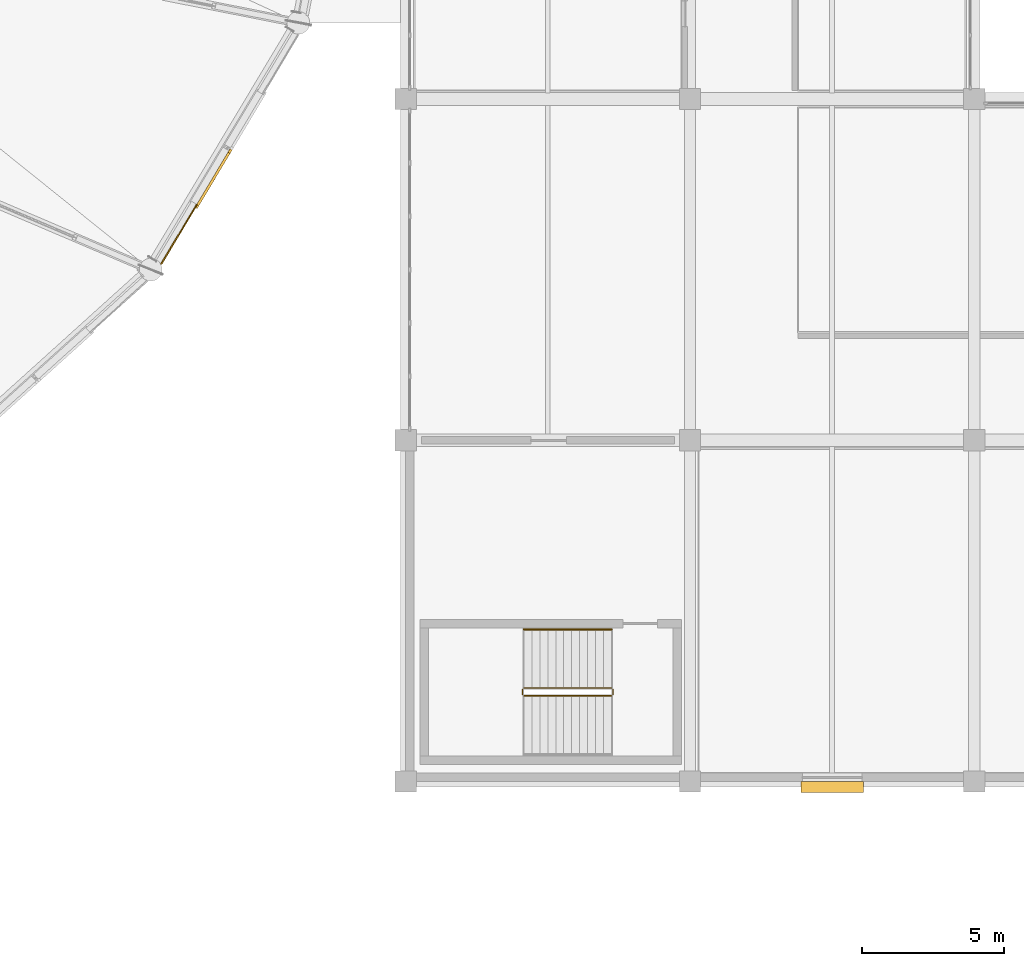
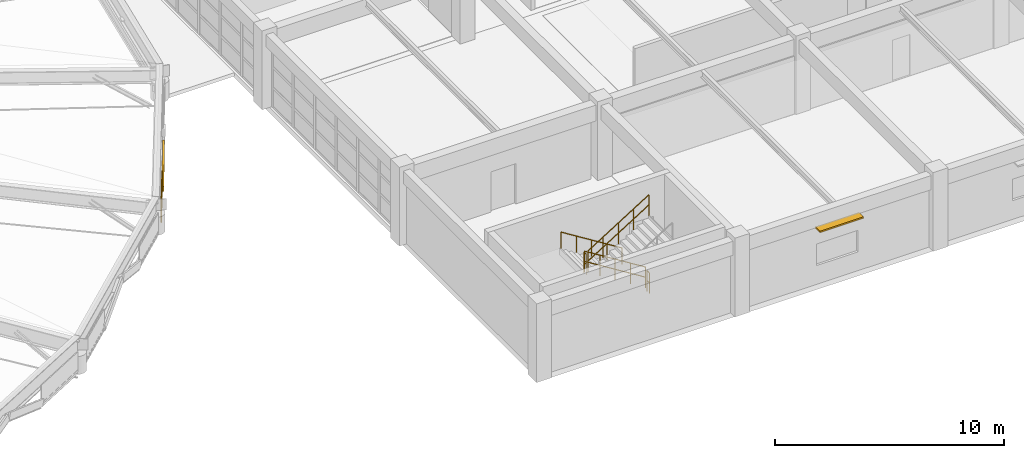
# One storey, part 76 of 83: 5 railings, 2 coverings, 1 shading device.
"""IFC4 building model written with IfcOpenShell, lengths in metres."""

from ifc_helpers import new_model, si_unit, direction, frame, frame_2d, origin, origin_2d, place, context, subcontext, project, spatial, rectangle, circle, extrude, material, layer, layer_set, type_object, element, save


model = new_model("IFC4")

# Units and contexts
model_context = context("Model", 3, precision=1e-05, world=origin(), true_north=direction((0.0, 1.0)))
body_context = subcontext(model_context, "Body", "Model", "MODEL_VIEW")
ifc_project = project(units=[si_unit("LENGTHUNIT", "METRE"), si_unit("AREAUNIT", "SQUARE_METRE"), si_unit("VOLUMEUNIT", "CUBIC_METRE"), si_unit("PLANEANGLEUNIT", "RADIAN"), si_unit("MASSUNIT", "GRAM", prefix="KILO")], contexts=[model_context])

# Site, building, storey
site_placement = place(None, origin())
site = spatial("IfcSite", under=ifc_project, at=site_placement, CompositionType="ELEMENT")
building_placement = place(site_placement, origin())
building = spatial("IfcBuilding", under=site, at=building_placement, Name="Kivolera Central Railway Station", CompositionType="ELEMENT")
storey_placement = place(building_placement, frame((0.0, 0.0, 14.39990234375)))
storey = spatial("IfcBuildingStorey", under=building, at=storey_placement, Name="L03", CompositionType="ELEMENT", Elevation=14.39990234375)

# Shading device
ifc_material_1 = material(Name="Anodised aluminium", Category="aluminium")
ifc_layer_1 = layer(ifc_material_1, 0.080078125, Name="Anodised aluminium")
ifc_layer_set_1 = layer_set([ifc_layer_1], Name="Anodised aluminium")
shading_device_type = type_object("IfcShadingDeviceType", Name="BS-LVR-B", PredefinedType="JALOUSIE", material=ifc_layer_set_1)
shading_device_placement = place(storey_placement, frame((133.0, 53.80810546875, 3.010009765625), z_axis=(0.0, 0.0, 1.0), x_axis=(1.0, 0.0, 0.0)))
element("IfcShadingDevice", 1, at=shading_device_placement, inside=storey, type_object=shading_device_type, Name="L03 South Monsoon Window Sun-Louvre 128", PredefinedType="JALOUSIE", context=body_context, shape_type="SweptSolid", body=[
    extrude(rectangle(XDim=2.199951171875, YDim=0.39990234375, at=origin_2d()), origin(), (0.0, 0.0, 1.0), 0.080078125),
])

# Coverings
ifc_material_2 = material(Name="Precast concrete C40/50", Category="concrete")
ifc_layer_2 = layer(ifc_material_2, 0.090087890625, Name="Precast concrete C40/50")
ifc_layer_set_2 = layer_set([ifc_layer_2], Name="Precast concrete C40/50")
covering_type_1 = type_object("IfcCoveringType", Name="COV-CLAUSTRA-90", PredefinedType="CLADDING", material=ifc_layer_set_2)
covering_1_placement = place(storey_placement, frame((111.2451171875, 75.199951171875, 0.731201171875), z_axis=(0.476784191777, 0.797245697627, 0.370237939827), x_axis=(0.858137550629, -0.513419851778, 0.0)))
element("IfcCovering", 2, at=covering_1_placement, inside=storey, type_object=covering_type_1, Name="Oval Lantern Arch Spandrel Extrados Trim 23.3", PredefinedType="CLADDING", context=body_context, shape_type="SweptSolid", body=[
    extrude(rectangle(XDim=0.090087890625, YDim=0.3798828125, at=origin_2d()), frame((0.0, 0.0, -1.21533203125)), (0.0, 0.0, 1.0), 2.430908203125),
])
ifc_material_3 = material(Name="Terracotta clay tile", Category="masonry")
ifc_layer_3 = layer(ifc_material_3, 0.044921875, Name="Terracotta clay tile")
ifc_layer_set_3 = layer_set([ifc_layer_3], Name="Terracotta clay tile")
covering_type_2 = type_object("IfcCoveringType", Name="COV-TERRACOTTA-45", PredefinedType="CLADDING", material=ifc_layer_set_3)
covering_2_placement = place(storey_placement, frame((110.656005859375, 74.29296875, 0.16015625), z_axis=(0.0, 0.0, 1.0), x_axis=(-0.513526675005, -0.858073629742, 0.0)))
element("IfcCovering", 3, at=covering_2_placement, inside=storey, type_object=covering_type_2, Name="Oval Lantern Arch Spandrel Tympanum Cladding 23L", PredefinedType="CLADDING", context=body_context, shape_type="SweptSolid", body=[
    extrude(rectangle(XDim=2.446044921875, YDim=0.044921875, at=frame_2d((1.22314453125, 0.0))), origin(), (0.0, 0.0, 1.0), 1.06005859375),
])

# Railings
ifc_layer_4 = layer(ifc_material_1, 0.048095703125, Name="Anodised aluminium")
ifc_layer_set_4 = layer_set([ifc_layer_4], Name="Anodised aluminium")
railing_type_1 = type_object("IfcRailingType", Name="RL-STAIR-GUARD", PredefinedType="GUARDRAIL", material=ifc_layer_set_4)
railing_1_placement = place(storey_placement, frame((125.239990234375, 57.2900390625, 0.175048828125)))
element("IfcRailing", 4, at=railing_1_placement, inside=storey, type_object=railing_type_1, Name="L03 ST4 stair guard 1", PredefinedType="GUARDRAIL", context=body_context, shape_type="SweptSolid", body=[
    extrude(circle(Radius=0.02392578125, at=origin_2d()), frame((0.0, 0.0, 1.10595703125), z_axis=(-0.847998304005, 0.0, 0.529998940003), x_axis=(0.0, -1.0, 0.0)), (0.0, 0.0, 1.0), 3.632080078125),
    extrude(circle(Radius=0.02392578125, at=origin_2d()), frame((0.0, 0.0, 0.56494140625), z_axis=(-0.847998304005, 0.0, 0.529998940003), x_axis=(0.0, -1.0, 0.0)), (0.0, 0.0, 1.0), 3.632080078125),
    extrude(circle(Radius=0.02099609375, at=origin_2d()), origin(), (0.0, 0.0, 1.0), 1.081787109375),
    extrude(circle(Radius=0.02099609375, at=origin_2d()), frame((-0.77001953125, 0.0, 0.481201171875)), (0.0, 0.0, 1.0), 1.081787109375),
    extrude(circle(Radius=0.02099609375, at=origin_2d()), frame((-1.5400390625, 0.0, 0.96240234375)), (0.0, 0.0, 1.0), 1.081787109375),
    extrude(circle(Radius=0.02099609375, at=origin_2d()), frame((-2.31005859375, 0.0, 1.44384765625)), (0.0, 0.0, 1.0), 1.081787109375),
    extrude(circle(Radius=0.02099609375, at=origin_2d()), frame((-3.080078125, 0.0, 1.925048828125)), (0.0, 0.0, 1.0), 1.081787109375),
])
railing_2_placement = place(storey_placement, frame((122.110107421875, 57.239990234375, 2.10009765625)))
element("IfcRailing", 5, at=railing_2_placement, inside=storey, type_object=railing_type_1, Name="L03 ST4 stair guard 2", PredefinedType="GUARDRAIL", context=body_context, shape_type="SweptSolid", body=[
    extrude(circle(Radius=0.02392578125, at=origin_2d()), frame((0.0, 0.0, 1.10595703125), z_axis=(0.0, -1.0, 0.0), x_axis=(1.0, 0.0, 0.0)), (0.0, 0.0, 1.0), 0.179931640625),
    extrude(circle(Radius=0.02392578125, at=origin_2d()), frame((0.0, 0.0, 0.56494140625), z_axis=(0.0, -1.0, 0.0), x_axis=(1.0, 0.0, 0.0)), (0.0, 0.0, 1.0), 0.179931640625),
    extrude(circle(Radius=0.02099609375, at=origin_2d()), origin(), (0.0, 0.0, 1.0), 1.081787109375),
    extrude(circle(Radius=0.02099609375, at=origin_2d()), frame((0.0, -0.179931640625, 0.0)), (0.0, 0.0, 1.0), 1.081787109375),
])
railing_3_placement = place(storey_placement, frame((122.159912109375, 57.010009765625, 2.275146484375)))
element("IfcRailing", 6, at=railing_3_placement, inside=storey, type_object=railing_type_1, Name="L03 ST4 stair guard 3", PredefinedType="GUARDRAIL", context=body_context, shape_type="SweptSolid", body=[
    extrude(circle(Radius=0.02392578125, at=origin_2d()), frame((0.0, 0.0, 1.10595703125), z_axis=(0.847998304005, 0.0, 0.529998940003), x_axis=(0.0, 1.0, 0.0)), (0.0, 0.0, 1.0), 3.632080078125),
    extrude(circle(Radius=0.02392578125, at=origin_2d()), frame((0.0, 0.0, 0.56494140625), z_axis=(0.847998304005, 0.0, 0.529998940003), x_axis=(0.0, 1.0, 0.0)), (0.0, 0.0, 1.0), 3.632080078125),
    extrude(circle(Radius=0.02099609375, at=origin_2d()), origin(), (0.0, 0.0, 1.0), 1.081787109375),
    extrude(circle(Radius=0.02099609375, at=origin_2d()), frame((0.77001953125, 0.0, 0.481201171875)), (0.0, 0.0, 1.0), 1.081787109375),
    extrude(circle(Radius=0.02099609375, at=origin_2d()), frame((1.5400390625, 0.0, 0.96240234375)), (0.0, 0.0, 1.0), 1.081787109375),
    extrude(circle(Radius=0.02099609375, at=origin_2d()), frame((2.31005859375, 0.0, 1.44384765625)), (0.0, 0.0, 1.0), 1.081787109375),
    extrude(circle(Radius=0.02099609375, at=origin_2d()), frame((3.080078125, 0.0, 1.925048828125)), (0.0, 0.0, 1.0), 1.081787109375),
])
railing_4_placement = place(storey_placement, frame((125.2900390625, 57.239990234375, 0.0)))
element("IfcRailing", 7, at=railing_4_placement, inside=storey, type_object=railing_type_1, Name="L03 ST4 stair guard 4", PredefinedType="GUARDRAIL", context=body_context, shape_type="SweptSolid", body=[
    extrude(circle(Radius=0.02392578125, at=origin_2d()), frame((0.0, 0.0, 1.10595703125), z_axis=(0.0, -1.0, 0.0), x_axis=(1.0, 0.0, 0.0)), (0.0, 0.0, 1.0), 0.179931640625),
    extrude(circle(Radius=0.02392578125, at=origin_2d()), frame((0.0, 0.0, 0.56494140625), z_axis=(0.0, -1.0, 0.0), x_axis=(1.0, 0.0, 0.0)), (0.0, 0.0, 1.0), 0.179931640625),
    extrude(circle(Radius=0.02099609375, at=origin_2d()), origin(), (0.0, 0.0, 1.0), 1.081787109375),
    extrude(circle(Radius=0.02099609375, at=origin_2d()), frame((0.0, -0.179931640625, 0.0)), (0.0, 0.0, 1.0), 1.081787109375),
])
ifc_layer_5 = layer(ifc_material_1, 0.048095703125, Name="Anodised aluminium")
ifc_layer_set_5 = layer_set([ifc_layer_5], Name="Anodised aluminium")
railing_type_2 = type_object("IfcRailingType", Name="RL-STAIR-HAND", PredefinedType="HANDRAIL", material=ifc_layer_set_5)
railing_5_placement = place(storey_placement, frame((125.239990234375, 59.35009765625, 0.175048828125)))
element("IfcRailing", 8, at=railing_5_placement, inside=storey, type_object=railing_type_2, Name="L03 ST4 stair handrail 1", PredefinedType="HANDRAIL", context=body_context, shape_type="SweptSolid", body=[
    extrude(circle(Radius=0.02392578125, at=origin_2d()), frame((0.0, 0.0, 0.8759765625), z_axis=(-0.847998304005, 0.0, 0.529998940003), x_axis=(0.0, -1.0, 0.0)), (0.0, 0.0, 1.0), 3.632080078125),
    extrude(circle(Radius=0.02099609375, at=origin_2d()), origin(), (0.0, 0.0, 1.0), 0.851806640625),
    extrude(circle(Radius=0.02099609375, at=origin_2d()), frame((-0.77001953125, 0.0, 0.481201171875)), (0.0, 0.0, 1.0), 0.851806640625),
    extrude(circle(Radius=0.02099609375, at=origin_2d()), frame((-1.5400390625, 0.0, 0.96240234375)), (0.0, 0.0, 1.0), 0.851806640625),
    extrude(circle(Radius=0.02099609375, at=origin_2d()), frame((-2.31005859375, 0.0, 1.44384765625)), (0.0, 0.0, 1.0), 0.851806640625),
    extrude(circle(Radius=0.02099609375, at=origin_2d()), frame((-3.080078125, 0.0, 1.925048828125)), (0.0, 0.0, 1.0), 0.851806640625),
])

save(model, "model.ifc")
